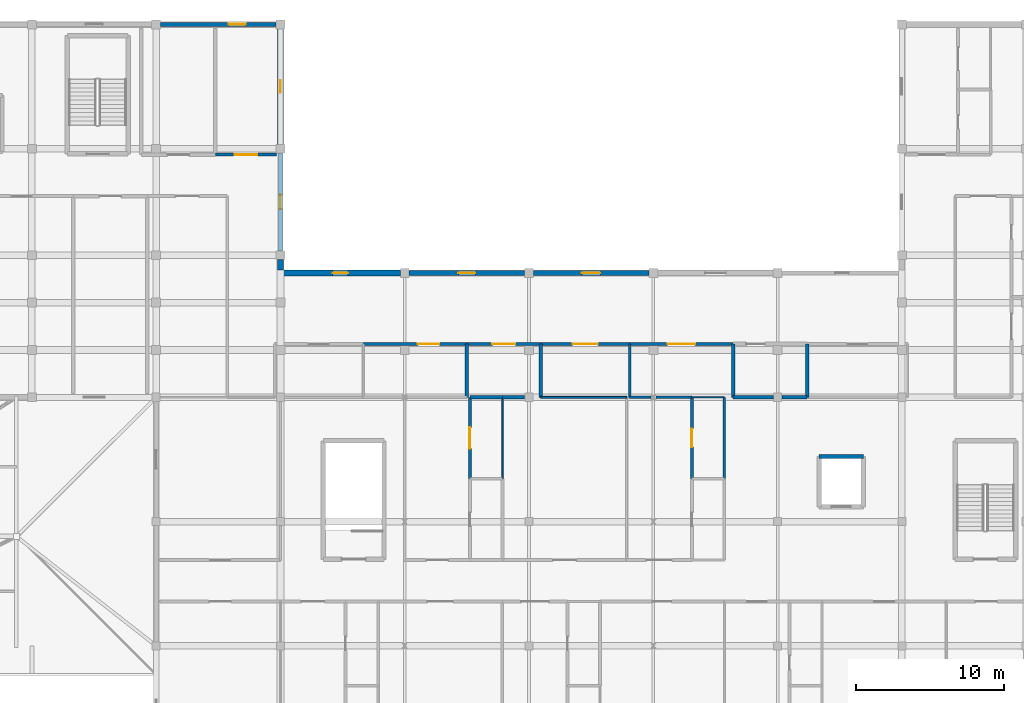
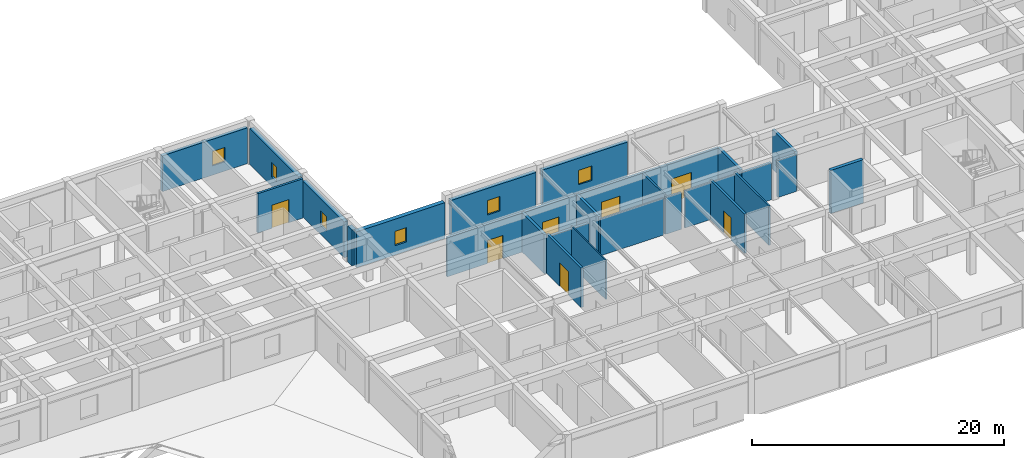
# One storey, part 21 of 42: 30 walls, 7 doors, 6 windows, 13 openings.
"""IFC4 building model written with IfcOpenShell, lengths in metres."""

from ifc_helpers import new_model, si_unit, direction, frame, frame_2d, origin, place, context, subcontext, project, spatial, rectangle, extrude, material, layer, layer_set, type_object, element, fill, save


model = new_model("IFC4")

# Units and contexts
model_context = context("Model", 3, precision=1e-05, world=origin(), true_north=direction((0.0, 1.0)))
body_context = subcontext(model_context, "Body", "Model", "MODEL_VIEW")
ifc_project = project(units=[si_unit("LENGTHUNIT", "METRE"), si_unit("AREAUNIT", "SQUARE_METRE"), si_unit("VOLUMEUNIT", "CUBIC_METRE"), si_unit("PLANEANGLEUNIT", "RADIAN"), si_unit("MASSUNIT", "GRAM", prefix="KILO")], contexts=[model_context])

# Site, building, storey
site_placement = place(None, origin())
site = spatial("IfcSite", under=ifc_project, at=site_placement, CompositionType="ELEMENT")
building_placement = place(site_placement, origin())
building = spatial("IfcBuilding", under=site, at=building_placement, Name="Varncliffe General Hospital", CompositionType="ELEMENT")
storey_placement = place(building_placement, frame((0.0, 0.0, 20.39990234375)))
storey = spatial("IfcBuildingStorey", under=building, at=storey_placement, Name="L04", CompositionType="ELEMENT", Elevation=20.39990234375)

# Wall, opening, window
ifc_material_1 = material(Name="Precast concrete C40/50 with insulated cream lime-cement stucco", Category="concrete")
ifc_layer_1 = layer(ifc_material_1, 0.3798828125)
ifc_layer_set_1 = layer_set([ifc_layer_1], Name="Precast concrete C40/50 with insulated cream lime-cement stucco")
wall_type_1 = type_object("IfcWallType", Name="Exterior Insulated Stucco Wall EW26 (380mm)", PredefinedType="SOLIDWALL", material=ifc_layer_set_1)
wall_1_placement = place(storey_placement, frame((67.199951171875, 124.501953125, 0.0), z_axis=(0.0, 0.0, 1.0), x_axis=(0.0, -1.0, 0.0)))
wall_1 = element("IfcWall", 1, at=wall_1_placement, inside=storey, type_object=wall_type_1, Name="L04 Exterior Stucco Wall EW26-355", PredefinedType="SOLIDWALL", context=body_context, shape_type="SweptSolid", body=[
    extrude(rectangle(XDim=7.803955078125, YDim=0.3798828125, at=frame_2d((3.90185546875, 0.0))), origin(), (0.0, 0.0, 1.0), 3.47998046875),
])
opening_1_placement = place(wall_1_placement, frame((3.47705078125, 0.0, 0.89990234375)))
opening_1 = element("IfcOpeningElement", 2, at=opening_1_placement, cuts=wall_1, Name="Opening WN77", PredefinedType="OPENING", context=body_context, shape_type="SweptSolid", body=[
    extrude(rectangle(XDim=0.85009765625, YDim=1.39990234375, at=frame_2d((0.425048828125, 0.699951171875))), frame((0.0, 0.199951171875, 0.0), z_axis=(0.0, -1.0, 0.0), x_axis=(1.0, 0.0, 0.0)), (0.0, 0.0, 1.0), 0.39990234375),
])
ifc_material_2 = material(Name="Triple low-E argon insulated vision glazing", Category="glass")
window_type_1 = type_object("IfcWindowType", Name="Triple-Glazed Hospital Window WN77 (850x1400)", PartitioningType="SINGLE_PANEL", PredefinedType="WINDOW", material=ifc_material_2)
window_1_placement = place(opening_1_placement, origin())
window_1 = element("IfcWindow", 3, at=window_1_placement, inside=storey, type_object=window_type_1, Name="L04 Hospital Window WN77-265", OverallHeight=1.39990234375, OverallWidth=0.85009765625, PartitioningType="SINGLE_PANEL", PredefinedType="WINDOW", context=body_context, shape_type="SweptSolid", body=[
    extrude(rectangle(XDim=0.85009765625, YDim=1.39990234375, at=frame_2d((0.425048828125, 0.699951171875))), frame((0.0, 0.030029296875, 0.0), z_axis=(0.0, -1.0, 0.0), x_axis=(1.0, 0.0, 0.0)), (0.0, 0.0, 1.0), 0.06005859375),
])
fill(opening_1, window_1)

wall_2_placement = place(storey_placement, frame((67.199951171875, 108.0, 0.0), z_axis=(0.0, 0.0, 1.0), x_axis=(1.0, 0.0, 0.0)))
wall_2 = element("IfcWall", 4, at=wall_2_placement, inside=storey, type_object=wall_type_1, Name="L04 Exterior Stucco Wall EW26-358", PredefinedType="SOLIDWALL", context=body_context, shape_type="SweptSolid", body=[
    extrude(rectangle(XDim=8.10205078125, YDim=0.3798828125, at=frame_2d((4.051025390625, 0.0))), origin(), (0.0, 0.0, 1.0), 3.47998046875),
])
opening_2_placement = place(wall_2_placement, frame((3.52587890625, 0.0, 0.89990234375)))
opening_2 = element("IfcOpeningElement", 5, at=opening_2_placement, cuts=wall_2, Name="Opening WN68", PredefinedType="OPENING", context=body_context, shape_type="SweptSolid", body=[
    extrude(rectangle(XDim=1.050048828125, YDim=1.39990234375, at=frame_2d((0.52490234375, 0.699951171875))), frame((0.0, 0.199951171875, 0.0), z_axis=(0.0, -1.0, 0.0), x_axis=(1.0, 0.0, 0.0)), (0.0, 0.0, 1.0), 0.39990234375),
])
window_type_2 = type_object("IfcWindowType", Name="Triple-Glazed Hospital Window WN68 (1050x1400)", PartitioningType="SINGLE_PANEL", PredefinedType="WINDOW", material=ifc_material_2)
window_2_placement = place(opening_2_placement, origin())
window_2 = element("IfcWindow", 6, at=window_2_placement, inside=storey, type_object=window_type_2, Name="L04 Hospital Window WN68-267", OverallHeight=1.39990234375, OverallWidth=1.050048828125, PartitioningType="SINGLE_PANEL", PredefinedType="WINDOW", context=body_context, shape_type="SweptSolid", body=[
    extrude(rectangle(XDim=1.050048828125, YDim=1.39990234375, at=frame_2d((0.52490234375, 0.699951171875))), frame((0.0, 0.030029296875, 0.0), z_axis=(0.0, -1.0, 0.0), x_axis=(1.0, 0.0, 0.0)), (0.0, 0.0, 1.0), 0.06005859375),
])
fill(opening_2, window_2)

ifc_layer_2 = layer(ifc_material_1, 0.2900390625)
ifc_layer_set_2 = layer_set([ifc_layer_2], Name="Precast concrete C40/50 with insulated cream lime-cement stucco")
wall_type_2 = type_object("IfcWallType", Name="Exterior Insulated Stucco Wall EW31 (290mm)", PredefinedType="SOLIDWALL", material=ifc_layer_set_2)
wall_3_placement = place(storey_placement, frame((59.097900390625, 124.800048828125, 0.0), z_axis=(0.0, 0.0, 1.0), x_axis=(1.0, 0.0, 0.0)))
wall_3 = element("IfcWall", 7, at=wall_3_placement, inside=storey, type_object=wall_type_2, Name="L04 Exterior Stucco Wall EW31-354", PredefinedType="SOLIDWALL", context=body_context, shape_type="SweptSolid", body=[
    extrude(rectangle(XDim=7.80419921875, YDim=0.2900390625, at=frame_2d((3.902099609375, 0.0))), origin(), (0.0, 0.0, 1.0), 3.47998046875),
])
opening_3_placement = place(wall_3_placement, frame((4.593017578125, 0.0, 0.89990234375)))
opening_3 = element("IfcOpeningElement", 8, at=opening_3_placement, cuts=wall_3, Name="Opening WN62", PredefinedType="OPENING", context=body_context, shape_type="SweptSolid", body=[
    extrude(rectangle(XDim=1.14990234375, YDim=1.39990234375, at=frame_2d((0.574951171875, 0.699951171875))), frame((0.0, 0.155029296875, 0.0), z_axis=(0.0, -1.0, 0.0), x_axis=(1.0, 0.0, 0.0)), (0.0, 0.0, 1.0), 0.31005859375),
])
window_type_3 = type_object("IfcWindowType", Name="Triple-Glazed Hospital Window WN62 (1150x1400)", PartitioningType="SINGLE_PANEL", PredefinedType="WINDOW", material=ifc_material_2)
window_3_placement = place(opening_3_placement, origin())
window_3 = element("IfcWindow", 9, at=window_3_placement, inside=storey, type_object=window_type_3, Name="L04 Hospital Window WN62-264", OverallHeight=1.39990234375, OverallWidth=1.14990234375, PartitioningType="SINGLE_PANEL", PredefinedType="WINDOW", context=body_context, shape_type="SweptSolid", body=[
    extrude(rectangle(XDim=1.14990234375, YDim=1.39990234375, at=frame_2d((0.574951171875, 0.699951171875))), frame((0.0, 0.030029296875, 0.0), z_axis=(0.0, -1.0, 0.0), x_axis=(1.0, 0.0, 0.0)), (0.0, 0.0, 1.0), 0.06005859375),
])
fill(opening_3, window_3)

ifc_layer_3 = layer(ifc_material_1, 0.330078125)
ifc_layer_set_3 = layer_set([ifc_layer_3], Name="Precast concrete C40/50 with insulated cream lime-cement stucco")
wall_type_3 = type_object("IfcWallType", Name="Exterior Insulated Stucco Wall EW33 (330mm)", PredefinedType="SOLIDWALL", material=ifc_layer_set_3)
wall_4_placement = place(storey_placement, frame((84.298095703125, 108.0, 0.0), z_axis=(0.0, 0.0, 1.0), x_axis=(1.0, 0.0, 0.0)))
wall_4 = element("IfcWall", 10, at=wall_4_placement, inside=storey, type_object=wall_type_3, Name="L04 Exterior Stucco Wall EW33-360", PredefinedType="SOLIDWALL", context=body_context, shape_type="SweptSolid", body=[
    extrude(rectangle(XDim=7.803955078125, YDim=0.330078125, at=frame_2d((3.90185546875, 0.0))), origin(), (0.0, 0.0, 1.0), 3.47998046875),
])
opening_4_placement = place(wall_4_placement, frame((3.277099609375, 0.0, 0.89990234375)))
opening_4 = element("IfcOpeningElement", 11, at=opening_4_placement, cuts=wall_4, Name="Opening WN43", PredefinedType="OPENING", context=body_context, shape_type="SweptSolid", body=[
    extrude(rectangle(XDim=1.25, YDim=1.39990234375, at=frame_2d((0.625, 0.699951171875))), frame((0.0, 0.175048828125, 0.0), z_axis=(0.0, -1.0, 0.0), x_axis=(1.0, 0.0, 0.0)), (0.0, 0.0, 1.0), 0.35009765625),
])
window_type_4 = type_object("IfcWindowType", Name="Triple-Glazed Hospital Window WN43 (1250x1400)", PartitioningType="SINGLE_PANEL", PredefinedType="WINDOW", material=ifc_material_2)
window_4_placement = place(opening_4_placement, origin())
window_4 = element("IfcWindow", 12, at=window_4_placement, inside=storey, type_object=window_type_4, Name="L04 Hospital Window WN43-269", OverallHeight=1.39990234375, OverallWidth=1.25, PartitioningType="SINGLE_PANEL", PredefinedType="WINDOW", context=body_context, shape_type="SweptSolid", body=[
    extrude(rectangle(XDim=1.25, YDim=1.39990234375, at=frame_2d((0.625, 0.699951171875))), frame((0.0, 0.030029296875, 0.0), z_axis=(0.0, -1.0, 0.0), x_axis=(1.0, 0.0, 0.0)), (0.0, 0.0, 1.0), 0.06005859375),
])
fill(opening_4, window_4)

ifc_layer_4 = layer(ifc_material_1, 0.35009765625)
ifc_layer_set_4 = layer_set([ifc_layer_4], Name="Precast concrete C40/50 with insulated cream lime-cement stucco")
wall_type_4 = type_object("IfcWallType", Name="Exterior Insulated Stucco Wall EW37 (350mm)", PredefinedType="SOLIDWALL", material=ifc_layer_set_4)
wall_5_placement = place(storey_placement, frame((67.199951171875, 116.10205078125, 0.0), z_axis=(0.0, 0.0, 1.0), x_axis=(0.0, -1.0, 0.0)))
wall_5 = element("IfcWall", 13, at=wall_5_placement, inside=storey, type_object=wall_type_4, Name="L04 Exterior Stucco Wall EW37-356", PredefinedType="SOLIDWALL", context=body_context, shape_type="SweptSolid", body=[
    extrude(rectangle(XDim=6.60400390625, YDim=0.35009765625, at=frame_2d((3.302001953125, 0.0))), origin(), (0.0, 0.0, 1.0), 3.47998046875),
])
opening_5_placement = place(wall_5_placement, frame((2.826904296875, 0.0, 0.89990234375)))
opening_5 = element("IfcOpeningElement", 14, at=opening_5_placement, cuts=wall_5, Name="Opening WN39", PredefinedType="OPENING", context=body_context, shape_type="SweptSolid", body=[
    extrude(rectangle(XDim=0.949951171875, YDim=1.39990234375, at=frame_2d((0.47509765625, 0.699951171875))), frame((0.0, 0.18505859375, 0.0), z_axis=(0.0, -1.0, 0.0), x_axis=(1.0, 0.0, 0.0)), (0.0, 0.0, 1.0), 0.3701171875),
])
window_type_5 = type_object("IfcWindowType", Name="Triple-Glazed Hospital Window WN39 (950x1400)", PartitioningType="SINGLE_PANEL", PredefinedType="WINDOW", material=ifc_material_2)
window_5_placement = place(opening_5_placement, origin())
window_5 = element("IfcWindow", 15, at=window_5_placement, inside=storey, type_object=window_type_5, Name="L04 Hospital Window WN39-266", OverallHeight=1.39990234375, OverallWidth=0.949951171875, PartitioningType="SINGLE_PANEL", PredefinedType="WINDOW", context=body_context, shape_type="SweptSolid", body=[
    extrude(rectangle(XDim=0.949951171875, YDim=1.39990234375, at=frame_2d((0.47509765625, 0.699951171875))), frame((0.0, 0.030029296875, 0.0), z_axis=(0.0, -1.0, 0.0), x_axis=(1.0, 0.0, 0.0)), (0.0, 0.0, 1.0), 0.06005859375),
])
fill(opening_5, window_5)

wall_6_placement = place(storey_placement, frame((75.89794921875, 108.0, 0.0), z_axis=(0.0, 0.0, 1.0), x_axis=(1.0, 0.0, 0.0)))
wall_6 = element("IfcWall", 16, at=wall_6_placement, inside=storey, type_object=wall_type_4, Name="L04 Exterior Stucco Wall EW37-359", PredefinedType="SOLIDWALL", context=body_context, shape_type="SweptSolid", body=[
    extrude(rectangle(XDim=7.803955078125, YDim=0.35009765625, at=frame_2d((3.90185546875, 0.0))), origin(), (0.0, 0.0, 1.0), 3.47998046875),
])
opening_6_placement = place(wall_6_placement, frame((3.326904296875, 0.0, 0.89990234375)))
opening_6 = element("IfcOpeningElement", 17, at=opening_6_placement, cuts=wall_6, Name="Opening WN62", PredefinedType="OPENING", context=body_context, shape_type="SweptSolid", body=[
    extrude(rectangle(XDim=1.14990234375, YDim=1.39990234375, at=frame_2d((0.574951171875, 0.699951171875))), frame((0.0, 0.18505859375, 0.0), z_axis=(0.0, -1.0, 0.0), x_axis=(1.0, 0.0, 0.0)), (0.0, 0.0, 1.0), 0.3701171875),
])
window_6_placement = place(opening_6_placement, origin())
window_6 = element("IfcWindow", 18, at=window_6_placement, inside=storey, type_object=window_type_3, Name="L04 Hospital Window WN62-268", OverallHeight=1.39990234375, OverallWidth=1.14990234375, PartitioningType="SINGLE_PANEL", PredefinedType="WINDOW", context=body_context, shape_type="SweptSolid", body=[
    extrude(rectangle(XDim=1.14990234375, YDim=1.39990234375, at=frame_2d((0.574951171875, 0.699951171875))), frame((0.0, 0.030029296875, 0.0), z_axis=(0.0, -1.0, 0.0), x_axis=(1.0, 0.0, 0.0)), (0.0, 0.0, 1.0), 0.06005859375),
])
fill(opening_6, window_6)

# Walls
ifc_layer_5 = layer(ifc_material_1, 0.39990234375)
ifc_layer_set_5 = layer_set([ifc_layer_5], Name="Precast concrete C40/50 with insulated cream lime-cement stucco")
wall_type_5 = type_object("IfcWallType", Name="Exterior Insulated Stucco Wall EW47 (400mm)", PredefinedType="SOLIDWALL", material=ifc_layer_set_5)
wall_7_placement = place(storey_placement, frame((67.199951171875, 108.902099609375, 0.0), z_axis=(0.0, 0.0, 1.0), x_axis=(0.0, -1.0, 0.0)))
element("IfcWall", 19, at=wall_7_placement, inside=storey, type_object=wall_type_5, Name="L04 Exterior Stucco Wall EW47-357", PredefinedType="SOLIDWALL", context=body_context, shape_type="SweptSolid", body=[
    extrude(rectangle(XDim=0.70703125, YDim=0.39990234375, at=frame_2d((0.353515625, 0.0))), origin(), (0.0, 0.0, 1.0), 3.47998046875),
])
ifc_material_3 = material(Name="Acoustic clinical gypsum stud partition assembly", Category="gypsum")
ifc_layer_6 = layer(ifc_material_3, 0.1298828125)
ifc_layer_set_6 = layer_set([ifc_layer_6], Name="Acoustic clinical gypsum stud partition assembly")
wall_type_6 = type_object("IfcWallType", Name="Interior Partitioning IW11 (130mm)", PredefinedType="PARTITIONING", material=ifc_layer_set_6)
wall_8_placement = place(storey_placement, frame((84.800048828125, 99.60009765625, 0.0), z_axis=(0.0, 0.0, 1.0), x_axis=(1.0, 0.0, 0.0)))
element("IfcWall", 20, at=wall_8_placement, inside=storey, type_object=wall_type_6, Name="L04 Interior Partition Wall IW11-1748", PredefinedType="PARTITIONING", context=body_context, shape_type="SweptSolid", body=[
    extrude(rectangle(XDim=5.800048828125, YDim=0.1298828125, at=frame_2d((2.89990234375, 0.0))), origin(), (0.0, 0.0, 1.0), 3.585205078125),
])
ifc_layer_7 = layer(ifc_material_3, 0.14990234375)
ifc_layer_set_7 = layer_set([ifc_layer_7], Name="Acoustic clinical gypsum stud partition assembly")
wall_type_7 = type_object("IfcWallType", Name="Interior Partitioning IW35 (150mm)", PredefinedType="PARTITIONING", material=ifc_layer_set_7)
wall_9_placement = place(storey_placement, frame((92.5673828125, 99.60009765625, 0.0), z_axis=(0.0, 0.0, 1.0), x_axis=(1.0, 0.0, 0.0)))
element("IfcWall", 21, at=wall_9_placement, inside=storey, type_object=wall_type_7, Name="L04 Interior Partition Wall IW35-1749", PredefinedType="PARTITIONING", context=body_context, shape_type="SweptSolid", body=[
    extrude(rectangle(XDim=2.4326171875, YDim=0.14990234375, at=frame_2d((1.21630859375, 0.0))), origin(), (0.0, 0.0, 1.0), 3.585205078125),
])
wall_10_placement = place(storey_placement, frame((90.800048828125, 99.60009765625, 0.0), z_axis=(0.0, 0.0, 1.0), x_axis=(1.0, 0.0, 0.0)))
element("IfcWall", 22, at=wall_10_placement, inside=storey, type_object=wall_type_7, Name="L04 Interior Partition Wall IW35-1750", PredefinedType="PARTITIONING", context=body_context, shape_type="SweptSolid", body=[
    extrude(rectangle(XDim=1.432373046875, YDim=0.14990234375, at=frame_2d((0.71630859375, 0.0))), origin(), (0.0, 0.0, 1.0), 3.585205078125),
])
wall_11_placement = place(storey_placement, frame((90.800048828125, 99.60009765625, 0.0), z_axis=(0.0, 0.0, 1.0), x_axis=(0.0, 1.0, 0.0)))
element("IfcWall", 23, at=wall_11_placement, inside=storey, type_object=wall_type_7, Name="L04 Interior Partition Wall IW35-1904", PredefinedType="PARTITIONING", context=body_context, shape_type="SweptSolid", body=[
    extrude(rectangle(XDim=3.599853515625, YDim=0.14990234375, at=frame_2d((1.7998046875, 0.0))), origin(), (0.0, 0.0, 1.0), 3.820068359375),
])
wall_12_placement = place(storey_placement, frame((97.199951171875, 94.10009765625, 0.0), z_axis=(0.0, 0.0, 1.0), x_axis=(0.0, 1.0, 0.0)))
element("IfcWall", 24, at=wall_12_placement, inside=storey, type_object=wall_type_7, Name="L04 Interior Partition Wall IW35-1909", PredefinedType="PARTITIONING", context=body_context, shape_type="SweptSolid", body=[
    extrude(rectangle(XDim=5.5, YDim=0.14990234375, at=frame_2d((2.75, 0.0))), origin(), (0.0, 0.0, 1.0), 3.820068359375),
])
ifc_layer_8 = layer(ifc_material_3, 0.090087890625)
ifc_layer_set_8 = layer_set([ifc_layer_8], Name="Acoustic clinical gypsum stud partition assembly")
wall_type_8 = type_object("IfcWallType", Name="Interior Partitioning IW42 (90mm)", PredefinedType="PARTITIONING", material=ifc_layer_set_8)
wall_13_placement = place(storey_placement, frame((95.0, 99.60009765625, 0.0), z_axis=(0.0, 0.0, 1.0), x_axis=(1.0, 0.0, 0.0)))
element("IfcWall", 25, at=wall_13_placement, inside=storey, type_object=wall_type_8, Name="L04 Interior Partition Wall IW42-1751", PredefinedType="PARTITIONING", context=body_context, shape_type="SweptSolid", body=[
    extrude(rectangle(XDim=2.199951171875, YDim=0.090087890625, at=frame_2d((1.10009765625, 0.0))), origin(), (0.0, 0.0, 1.0), 3.585205078125),
])
ifc_layer_9 = layer(ifc_material_3, 0.110107421875)
ifc_layer_set_9 = layer_set([ifc_layer_9], Name="Acoustic clinical gypsum stud partition assembly")
wall_type_9 = type_object("IfcWallType", Name="Interior Partitioning IW65 (110mm)", PredefinedType="PARTITIONING", material=ifc_layer_set_9)
wall_14_placement = place(storey_placement, frame((82.199951171875, 94.10009765625, 0.0), z_axis=(0.0, 0.0, 1.0), x_axis=(0.0, 1.0, 0.0)))
element("IfcWall", 26, at=wall_14_placement, inside=storey, type_object=wall_type_9, Name="L04 Interior Partition Wall IW65-1897", PredefinedType="PARTITIONING", context=body_context, shape_type="SweptSolid", body=[
    extrude(rectangle(XDim=5.5, YDim=0.110107421875, at=frame_2d((2.75, 0.0))), origin(), (0.0, 0.0, 1.0), 3.820068359375),
])
ifc_material_4 = material(Name="Fire-rated gypsum and mineral-wool partition assembly", Category="gypsum")
ifc_layer_10 = layer(ifc_material_4, 0.25)
ifc_layer_set_10 = layer_set([ifc_layer_10], Name="Fire-rated gypsum and mineral-wool partition assembly")
wall_type_10 = type_object("IfcWallType", Name="Interior Partitioning PW38 (250mm)", PredefinedType="PARTITIONING", material=ifc_layer_set_10)
wall_15_placement = place(storey_placement, frame((82.199951171875, 99.60009765625, 0.0), z_axis=(0.0, 0.0, 1.0), x_axis=(1.0, 0.0, 0.0)))
element("IfcWall", 27, at=wall_15_placement, inside=storey, type_object=wall_type_10, Name="L04 Interior Partition Wall PW38-1747", PredefinedType="PARTITIONING", context=body_context, shape_type="SweptSolid", body=[
    extrude(rectangle(XDim=1.510009765625, YDim=0.25, at=frame_2d((0.7548828125, 0.0))), origin(), (0.0, 0.0, 1.0), 3.585205078125),
])
wall_16_placement = place(storey_placement, frame((102.800048828125, 99.60009765625, 0.0), z_axis=(0.0, 0.0, 1.0), x_axis=(0.0, 1.0, 0.0)))
element("IfcWall", 28, at=wall_16_placement, inside=storey, type_object=wall_type_10, Name="L04 Interior Partition Wall PW38-1913", PredefinedType="PARTITIONING", context=body_context, shape_type="SweptSolid", body=[
    extrude(rectangle(XDim=3.599853515625, YDim=0.25, at=frame_2d((1.7998046875, 0.0))), origin(), (0.0, 0.0, 1.0), 3.820068359375),
])
ifc_layer_11 = layer(ifc_material_4, 0.22998046875)
ifc_layer_set_11 = layer_set([ifc_layer_11], Name="Fire-rated gypsum and mineral-wool partition assembly")
wall_type_11 = type_object("IfcWallType", Name="Interior Partitioning PW48 (230mm)", PredefinedType="PARTITIONING", material=ifc_layer_set_11)
wall_17_placement = place(storey_placement, frame((80.0, 99.60009765625, 0.0), z_axis=(0.0, 0.0, 1.0), x_axis=(1.0, 0.0, 0.0)))
element("IfcWall", 29, at=wall_17_placement, inside=storey, type_object=wall_type_11, Name="L04 Interior Partition Wall PW48-1746", PredefinedType="PARTITIONING", context=body_context, shape_type="SweptSolid", body=[
    extrude(rectangle(XDim=2.199951171875, YDim=0.22998046875, at=frame_2d((1.10009765625, 0.0))), origin(), (0.0, 0.0, 1.0), 3.585205078125),
])
wall_18_placement = place(storey_placement, frame((97.800048828125, 99.60009765625, 0.0), z_axis=(0.0, 0.0, 1.0), x_axis=(1.0, 0.0, 0.0)))
element("IfcWall", 30, at=wall_18_placement, inside=storey, type_object=wall_type_11, Name="L04 Interior Partition Wall PW48-1752", PredefinedType="PARTITIONING", context=body_context, shape_type="SweptSolid", body=[
    extrude(rectangle(XDim=2.7099609375, YDim=0.22998046875, at=frame_2d((1.35498046875, 0.0))), origin(), (0.0, 0.0, 1.0), 3.585205078125),
])
wall_19_placement = place(storey_placement, frame((101.090087890625, 99.60009765625, 0.0), z_axis=(0.0, 0.0, 1.0), x_axis=(1.0, 0.0, 0.0)))
element("IfcWall", 31, at=wall_19_placement, inside=storey, type_object=wall_type_11, Name="L04 Interior Partition Wall PW48-1753", PredefinedType="PARTITIONING", context=body_context, shape_type="SweptSolid", body=[
    extrude(rectangle(XDim=1.7099609375, YDim=0.22998046875, at=frame_2d((0.85498046875, 0.0))), origin(), (0.0, 0.0, 1.0), 3.585205078125),
])

# Wall, opening, door
wall_20_placement = place(storey_placement, frame((79.800048828125, 103.199951171875, 0.0), z_axis=(0.0, 0.0, 1.0), x_axis=(1.0, 0.0, 0.0)))
wall_20 = element("IfcWall", 32, at=wall_20_placement, inside=storey, type_object=wall_type_11, Name="L04 Interior Partition Wall PW48-1774", PredefinedType="PARTITIONING", context=body_context, shape_type="SweptSolid", body=[
    extrude(rectangle(XDim=5.0, YDim=0.22998046875, at=frame_2d((2.5, 0.0))), origin(), (0.0, 0.0, 1.0), 3.820068359375),
])
opening_7_placement = place(wall_20_placement, frame((1.72509765625, 0.0, 0.0)))
opening_7 = element("IfcOpeningElement", 33, at=opening_7_placement, cuts=wall_20, Name="Opening DC67", PredefinedType="OPENING", context=body_context, shape_type="SweptSolid", body=[
    extrude(rectangle(XDim=1.550048828125, YDim=2.25, at=frame_2d((0.77490234375, 1.125))), frame((0.0, 0.125, 0.0), z_axis=(0.0, -1.0, 0.0), x_axis=(1.0, 0.0, 0.0)), (0.0, 0.0, 1.0), 0.25),
])
ifc_material_5 = material(Name="Fire-rated hospital steel-frame vision-panel door", Category="steel")
door_type_1 = type_object("IfcDoorType", Name="Interior Hospital Door DC67 (1550x2250)", OperationType="NOTDEFINED", PredefinedType="DOOR", material=ifc_material_5)
door_1_placement = place(opening_7_placement, frame((1.550048828125, 0.0, 0.0), z_axis=(0.0, 0.0, 1.0), x_axis=(-1.0, 0.0, 0.0)))
door_1 = element("IfcDoor", 34, at=door_1_placement, inside=storey, type_object=door_type_1, Name="L04 Ward Soiled Utility Store 137 Door", OperationType="SINGLE_SWING_RIGHT", OverallHeight=2.25, OverallWidth=1.550048828125, PredefinedType="DOOR", context=body_context, shape_type="SweptSolid", body=[
    extrude(rectangle(XDim=1.550048828125, YDim=2.25, at=frame_2d((0.77490234375, 1.125))), frame((0.0, 0.02490234375, 0.0), z_axis=(0.0, -1.0, 0.0), x_axis=(1.0, 0.0, 0.0)), (0.0, 0.0, 1.0), 0.050048828125),
])
fill(opening_7, door_1)

# Walls
for number, where, z_axis, x_axis, name in (
    (35, (79.800048828125, 99.60009765625, 0.0), (0.0, 0.0, 1.0), (0.0, 1.0, 0.0), "L04 Interior Partition Wall PW48-1892"),
    (36, (84.800048828125, 99.60009765625, 0.0), (0.0, 0.0, 1.0), (0.0, 1.0, 0.0), "L04 Interior Partition Wall PW48-1898"),
    (37, (97.800048828125, 99.60009765625, 0.0), (0.0, 0.0, 1.0), (0.0, 1.0, 0.0), "L04 Interior Partition Wall PW48-1910"),
):
    element("IfcWall", number, at=place(storey_placement, frame(where, z_axis=z_axis, x_axis=x_axis)), inside=storey, type_object=wall_type_11, Name=name, PredefinedType="PARTITIONING", context=body_context, shape_type="SweptSolid", body=[
        extrude(rectangle(XDim=3.599853515625, YDim=0.22998046875, at=frame_2d((1.7998046875, 0.0))), origin(), (0.0, 0.0, 1.0), 3.820068359375),
    ])

# Wall, opening, door
ifc_layer_12 = layer(ifc_material_4, 0.199951171875)
ifc_layer_set_12 = layer_set([ifc_layer_12], Name="Fire-rated gypsum and mineral-wool partition assembly")
wall_type_12 = type_object("IfcWallType", Name="Interior Partitioning PW63 (200mm)", PredefinedType="PARTITIONING", material=ifc_layer_set_12)
wall_21_placement = place(storey_placement, frame((72.800048828125, 103.199951171875, 0.0), z_axis=(0.0, 0.0, 1.0), x_axis=(1.0, 0.0, 0.0)))
wall_21 = element("IfcWall", 38, at=wall_21_placement, inside=storey, type_object=wall_type_12, Name="L04 Interior Partition Wall PW63-1773", PredefinedType="PARTITIONING", context=body_context, shape_type="SweptSolid", body=[
    extrude(rectangle(XDim=7.0, YDim=0.199951171875, at=frame_2d((3.5, 0.0))), origin(), (0.0, 0.0, 1.0), 3.820068359375),
])
opening_8_placement = place(wall_21_placement, frame((3.6875, 0.0, 0.0)))
opening_8 = element("IfcOpeningElement", 39, at=opening_8_placement, cuts=wall_21, Name="Opening DC66", PredefinedType="OPENING", context=body_context, shape_type="SweptSolid", body=[
    extrude(rectangle(XDim=1.449951171875, YDim=2.25, at=frame_2d((0.72509765625, 1.125))), frame((0.0, 0.10986328125, 0.0), z_axis=(0.0, -1.0, 0.0), x_axis=(1.0, 0.0, 0.0)), (0.0, 0.0, 1.0), 0.219970703125),
])
door_type_2 = type_object("IfcDoorType", Name="Interior Hospital Door DC66 (1450x2250)", OperationType="NOTDEFINED", PredefinedType="DOOR", material=ifc_material_5)
door_2_placement = place(opening_8_placement, frame((1.449951171875, 0.0, 0.0), z_axis=(0.0, 0.0, 1.0), x_axis=(-1.0, 0.0, 0.0)))
door_2 = element("IfcDoor", 40, at=door_2_placement, inside=storey, type_object=door_type_2, Name="L04 Telemetry Central Monitoring Station 136 Door", OperationType="SINGLE_SWING_LEFT", OverallHeight=2.25, OverallWidth=1.449951171875, PredefinedType="DOOR", context=body_context, shape_type="SweptSolid", body=[
    extrude(rectangle(XDim=1.449951171875, YDim=2.25, at=frame_2d((0.72509765625, 1.125))), frame((0.0, 0.02490234375, 0.0), z_axis=(0.0, -1.0, 0.0), x_axis=(1.0, 0.0, 0.0)), (0.0, 0.0, 1.0), 0.050048828125),
])
fill(opening_8, door_2)

wall_22_placement = place(storey_placement, frame((84.800048828125, 103.199951171875, 0.0), z_axis=(0.0, 0.0, 1.0), x_axis=(1.0, 0.0, 0.0)))
wall_22 = element("IfcWall", 41, at=wall_22_placement, inside=storey, type_object=wall_type_12, Name="L04 Interior Partition Wall PW63-1775", PredefinedType="PARTITIONING", context=body_context, shape_type="SweptSolid", body=[
    extrude(rectangle(XDim=6.0, YDim=0.199951171875, at=frame_2d((3.0, 0.0))), origin(), (0.0, 0.0, 1.0), 3.820068359375),
])
opening_9_placement = place(wall_22_placement, frame((2.14990234375, 0.0, 0.0)))
opening_9 = element("IfcOpeningElement", 42, at=opening_9_placement, cuts=wall_22, Name="Opening DC50", PredefinedType="OPENING", context=body_context, shape_type="SweptSolid", body=[
    extrude(rectangle(XDim=1.699951171875, YDim=2.300048828125, at=frame_2d((0.85009765625, 1.14990234375))), frame((0.0, 0.10986328125, 0.0), z_axis=(0.0, -1.0, 0.0), x_axis=(1.0, 0.0, 0.0)), (0.0, 0.0, 1.0), 0.219970703125),
])
door_type_3 = type_object("IfcDoorType", Name="Interior Hospital Door DC50 (1700x2300)", OperationType="NOTDEFINED", PredefinedType="DOOR", material=ifc_material_5)
door_3_placement = place(opening_9_placement, frame((1.699951171875, 0.0, 0.0), z_axis=(0.0, 0.0, 1.0), x_axis=(-1.0, 0.0, 0.0)))
door_3 = element("IfcDoor", 43, at=door_3_placement, inside=storey, type_object=door_type_3, Name="L04 Cardiology Telemetry Inpatient Room 138 Door", OperationType="SINGLE_SWING_LEFT", OverallHeight=2.300048828125, OverallWidth=1.699951171875, PredefinedType="DOOR", context=body_context, shape_type="SweptSolid", body=[
    extrude(rectangle(XDim=1.699951171875, YDim=2.300048828125, at=frame_2d((0.85009765625, 1.14990234375))), frame((0.0, 0.02490234375, 0.0), z_axis=(0.0, -1.0, 0.0), x_axis=(1.0, 0.0, 0.0)), (0.0, 0.0, 1.0), 0.050048828125),
])
fill(opening_9, door_3)

wall_23_placement = place(storey_placement, frame((90.800048828125, 103.199951171875, 0.0), z_axis=(0.0, 0.0, 1.0), x_axis=(1.0, 0.0, 0.0)))
wall_23 = element("IfcWall", 44, at=wall_23_placement, inside=storey, type_object=wall_type_12, Name="L04 Interior Partition Wall PW63-1776", PredefinedType="PARTITIONING", context=body_context, shape_type="SweptSolid", body=[
    extrude(rectangle(XDim=7.0, YDim=0.199951171875, at=frame_2d((3.5, 0.0))), origin(), (0.0, 0.0, 1.0), 3.820068359375),
])
opening_10_placement = place(wall_23_placement, frame((2.574951171875, 0.0, 0.0)))
opening_10 = element("IfcOpeningElement", 45, at=opening_10_placement, cuts=wall_23, Name="Opening DC38", PredefinedType="OPENING", context=body_context, shape_type="SweptSolid", body=[
    extrude(rectangle(XDim=1.85009765625, YDim=2.300048828125, at=frame_2d((0.925048828125, 1.14990234375))), frame((0.0, 0.10986328125, 0.0), z_axis=(0.0, -1.0, 0.0), x_axis=(1.0, 0.0, 0.0)), (0.0, 0.0, 1.0), 0.219970703125),
])
door_type_4 = type_object("IfcDoorType", Name="Interior Hospital Door DC38 (1850x2300)", OperationType="NOTDEFINED", PredefinedType="DOOR", material=ifc_material_5)
door_4_placement = place(opening_10_placement, frame((1.85009765625, 0.0, 0.0), z_axis=(0.0, 0.0, 1.0), x_axis=(-1.0, 0.0, 0.0)))
door_4 = element("IfcDoor", 46, at=door_4_placement, inside=storey, type_object=door_type_4, Name="L04 Telemetry Central Monitoring Station 139 Door", OperationType="SINGLE_SWING_RIGHT", OverallHeight=2.300048828125, OverallWidth=1.85009765625, PredefinedType="DOOR", context=body_context, shape_type="SweptSolid", body=[
    extrude(rectangle(XDim=1.85009765625, YDim=2.300048828125, at=frame_2d((0.925048828125, 1.14990234375))), frame((0.0, 0.02490234375, 0.0), z_axis=(0.0, -1.0, 0.0), x_axis=(1.0, 0.0, 0.0)), (0.0, 0.0, 1.0), 0.050048828125),
])
fill(opening_10, door_4)

wall_24_placement = place(storey_placement, frame((62.800048828125, 116.0, 0.0), z_axis=(0.0, 0.0, 1.0), x_axis=(1.0, 0.0, 0.0)))
wall_24 = element("IfcWall", 47, at=wall_24_placement, inside=storey, type_object=wall_type_12, Name="L04 Interior Partition Wall PW63-1815", PredefinedType="PARTITIONING", context=body_context, shape_type="SweptSolid", body=[
    extrude(rectangle(XDim=4.139892578125, YDim=0.199951171875, at=frame_2d((2.06982421875, 0.0))), origin(), (0.0, 0.0, 1.0), 3.820068359375),
])
opening_11_placement = place(wall_24_placement, frame((1.294921875, 0.0, 0.0)))
opening_11 = element("IfcOpeningElement", 48, at=opening_11_placement, cuts=wall_24, Name="Opening DC67", PredefinedType="OPENING", context=body_context, shape_type="SweptSolid", body=[
    extrude(rectangle(XDim=1.550048828125, YDim=2.25, at=frame_2d((0.77490234375, 1.125))), frame((0.0, 0.10986328125, 0.0), z_axis=(0.0, -1.0, 0.0), x_axis=(1.0, 0.0, 0.0)), (0.0, 0.0, 1.0), 0.219970703125),
])
door_5_placement = place(opening_11_placement, origin())
door_5 = element("IfcDoor", 49, at=door_5_placement, inside=storey, type_object=door_type_1, Name="L04 Cardiology Telemetry Inpatient Room 114 Door", OperationType="SINGLE_SWING_RIGHT", OverallHeight=2.25, OverallWidth=1.550048828125, PredefinedType="DOOR", context=body_context, shape_type="SweptSolid", body=[
    extrude(rectangle(XDim=1.550048828125, YDim=2.25, at=frame_2d((0.77490234375, 1.125))), frame((0.0, 0.02490234375, 0.0), z_axis=(0.0, -1.0, 0.0), x_axis=(1.0, 0.0, 0.0)), (0.0, 0.0, 1.0), 0.050048828125),
])
fill(opening_11, door_5)

wall_25_placement = place(storey_placement, frame((80.0, 94.10009765625, 0.0), z_axis=(0.0, 0.0, 1.0), x_axis=(0.0, 1.0, 0.0)))
wall_25 = element("IfcWall", 50, at=wall_25_placement, inside=storey, type_object=wall_type_12, Name="L04 Interior Partition Wall PW63-1894", PredefinedType="PARTITIONING", context=body_context, shape_type="SweptSolid", body=[
    extrude(rectangle(XDim=5.5, YDim=0.199951171875, at=frame_2d((2.75, 0.0))), origin(), (0.0, 0.0, 1.0), 3.820068359375),
])
opening_12_placement = place(wall_25_placement, frame((2.02490234375, 0.0, 0.0)))
opening_12 = element("IfcOpeningElement", 51, at=opening_12_placement, cuts=wall_25, Name="Opening DC66", PredefinedType="OPENING", context=body_context, shape_type="SweptSolid", body=[
    extrude(rectangle(XDim=1.449951171875, YDim=2.25, at=frame_2d((0.72509765625, 1.125))), frame((0.0, 0.10986328125, 0.0), z_axis=(0.0, -1.0, 0.0), x_axis=(1.0, 0.0, 0.0)), (0.0, 0.0, 1.0), 0.219970703125),
])
door_6_placement = place(opening_12_placement, frame((1.449951171875, 0.0, 0.0), z_axis=(0.0, 0.0, 1.0), x_axis=(-1.0, 0.0, 0.0)))
door_6 = element("IfcDoor", 52, at=door_6_placement, inside=storey, type_object=door_type_2, Name="L04 Patient Medication and Hygiene Bay 51 Door", OperationType="SINGLE_SWING_LEFT", OverallHeight=2.25, OverallWidth=1.449951171875, PredefinedType="DOOR", context=body_context, shape_type="SweptSolid", body=[
    extrude(rectangle(XDim=1.449951171875, YDim=2.25, at=frame_2d((0.72509765625, 1.125))), frame((0.0, 0.02490234375, 0.0), z_axis=(0.0, -1.0, 0.0), x_axis=(1.0, 0.0, 0.0)), (0.0, 0.0, 1.0), 0.050048828125),
])
fill(opening_12, door_6)

wall_26_placement = place(storey_placement, frame((95.0, 94.10009765625, 0.0), z_axis=(0.0, 0.0, 1.0), x_axis=(0.0, 1.0, 0.0)))
wall_26 = element("IfcWall", 53, at=wall_26_placement, inside=storey, type_object=wall_type_12, Name="L04 Interior Partition Wall PW63-1906", PredefinedType="PARTITIONING", context=body_context, shape_type="SweptSolid", body=[
    extrude(rectangle(XDim=5.5, YDim=0.199951171875, at=frame_2d((2.75, 0.0))), origin(), (0.0, 0.0, 1.0), 3.820068359375),
])
opening_13_placement = place(wall_26_placement, frame((2.125, 0.0, 0.0)))
opening_13 = element("IfcOpeningElement", 54, at=opening_13_placement, cuts=wall_26, Name="Opening DC44", PredefinedType="OPENING", context=body_context, shape_type="SweptSolid", body=[
    extrude(rectangle(XDim=1.25, YDim=2.14990234375, at=frame_2d((0.625, 1.074951171875))), frame((0.0, 0.10986328125, 0.0), z_axis=(0.0, -1.0, 0.0), x_axis=(1.0, 0.0, 0.0)), (0.0, 0.0, 1.0), 0.219970703125),
])
door_type_5 = type_object("IfcDoorType", Name="Interior Hospital Door DC44 (1250x2150)", OperationType="NOTDEFINED", PredefinedType="DOOR", material=ifc_material_5)
door_7_placement = place(opening_13_placement, frame((1.25, 0.0, 0.0), z_axis=(0.0, 0.0, 1.0), x_axis=(-1.0, 0.0, 0.0)))
door_7 = element("IfcDoor", 55, at=door_7_placement, inside=storey, type_object=door_type_5, Name="L04 Patient Medication and Hygiene Bay 55 Door", OperationType="SINGLE_SWING_LEFT", OverallHeight=2.14990234375, OverallWidth=1.25, PredefinedType="DOOR", context=body_context, shape_type="SweptSolid", body=[
    extrude(rectangle(XDim=1.25, YDim=2.14990234375, at=frame_2d((0.625, 1.074951171875))), frame((0.0, 0.02490234375, 0.0), z_axis=(0.0, -1.0, 0.0), x_axis=(1.0, 0.0, 0.0)), (0.0, 0.0, 1.0), 0.050048828125),
])
fill(opening_13, door_7)

# Wall
ifc_material_6 = material(Name="Concrete C40/50 (CSA A23.1 40 MPa)", Category="concrete")
ifc_layer_13 = layer(ifc_material_6, 0.300048828125)
ifc_layer_set_13 = layer_set([ifc_layer_13], Name="Concrete C40/50 (CSA A23.1 40 MPa)")
wall_type_13 = type_object("IfcWallType", Name="Reinforced Concrete Core Shear Wall CW12 (300mm)", PredefinedType="SHEAR", material=ifc_layer_set_13)
wall_27_placement = place(storey_placement, frame((106.60009765625, 95.60009765625, 0.0), z_axis=(0.0, 0.0, 1.0), x_axis=(-1.0, 0.0, 0.0)))
element("IfcWall", 56, at=wall_27_placement, inside=storey, type_object=wall_type_13, Name="L04 LF07 Elevator Shaft Wall North", PredefinedType="SHEAR", context=body_context, shape_type="SweptSolid", body=[
    extrude(rectangle(XDim=3.0, YDim=0.300048828125, at=frame_2d((1.5, 0.0))), origin(), (0.0, 0.0, 1.0), 4.2001953125),
])

save(model, "model.ifc")
